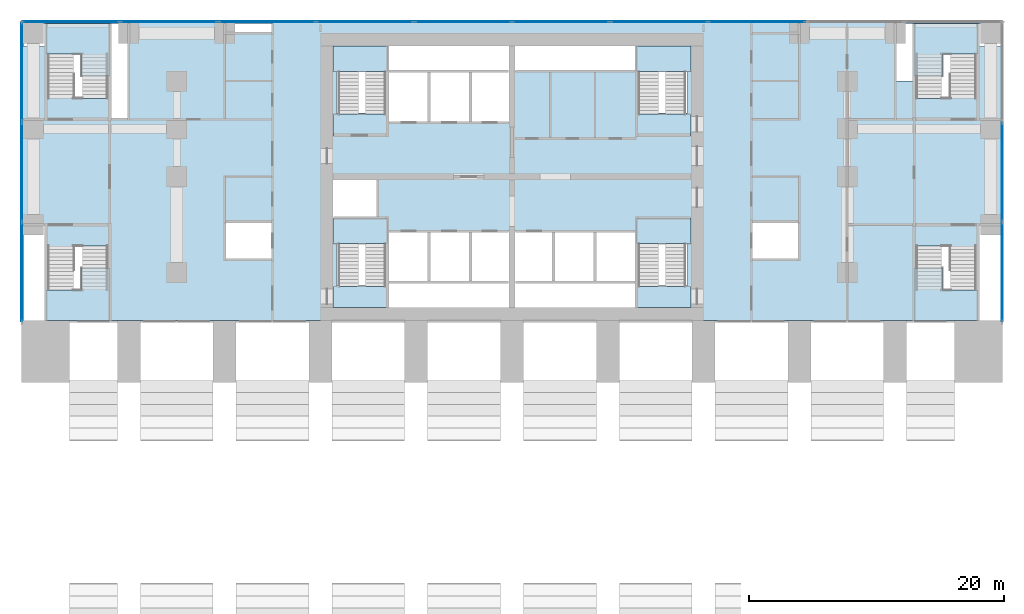
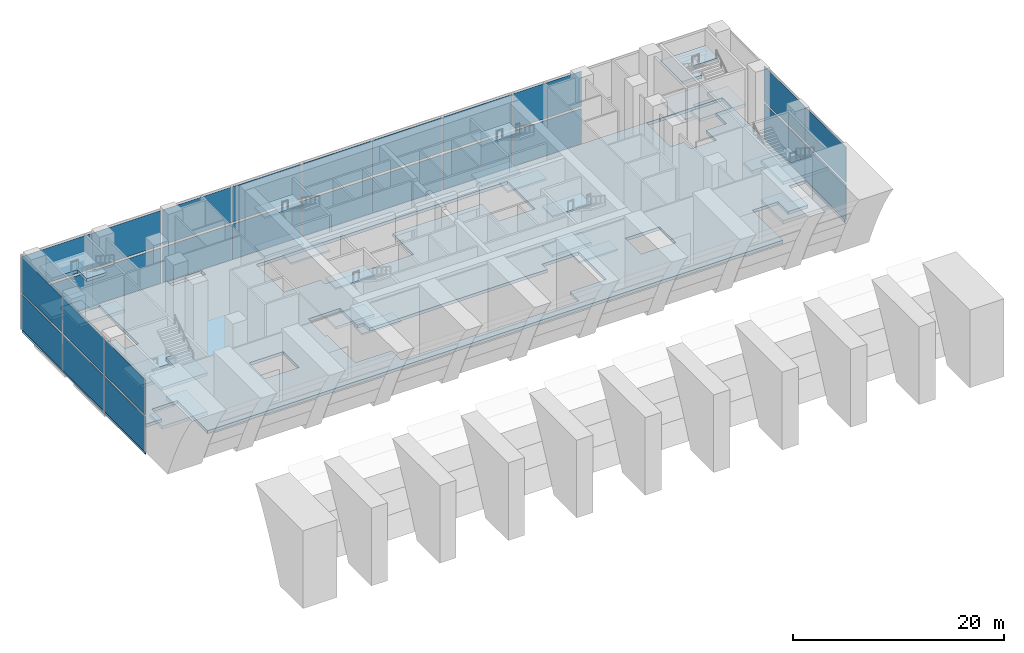
# One storey, part 4 of 14: 26 plates, 25 slabs, 22 elements without a shape of their own.
"""IFC4 building model written with IfcOpenShell, lengths in metres."""

import ifcopenshell
import ifcopenshell.guid

model = None  # the IFC model being written
_history = None  # IfcOwnerHistory: only IFC2X3 demands one
_inside = {}  # id of a spatial element -> (the spatial element, [elements in it])
_under = {}  # id of a project, library or spatial element -> (it, [spatial elements below it])
_declared = {}  # id of a project -> (the project, [libraries it declares])
_typed = {}  # id of a type object -> (the type object, [elements of that type])
_made_of = {}  # id of a material, layer set ... -> (it, [elements and type objects made of it])


def new_model(schema):
    """Start an empty IFC model of exactly this schema.

    Asked for "IFC4X3", IfcOpenShell would pick the latest addendum, in which some entities
    have other attributes; the version numbers below select the first issue.
    IFC2X3 requires an IfcOwnerHistory on every rooted entity: one is made here for all.
    """
    global model, _history
    if schema == "IFC4X3":
        model = ifcopenshell.file(schema_version=(4, 3, 0, 0))
    else:
        model = ifcopenshell.file(schema=schema)
    _inside.clear()
    _under.clear()
    _declared.clear()
    _typed.clear()
    _made_of.clear()
    _history = None
    if model.schema == "IFC2X3":
        org = make("IfcOrganization", Name="unknown")
        user = make(
            "IfcPersonAndOrganization",
            ThePerson=make("IfcPerson", FamilyName="unknown"),
            TheOrganization=org,
        )
        app = make(
            "IfcApplication",
            ApplicationDeveloper=org,
            Version="unknown",
            ApplicationFullName="unknown",
            ApplicationIdentifier="unknown",
        )
        _history = make(
            "IfcOwnerHistory",
            OwningUser=user,
            OwningApplication=app,
            ChangeAction="ADDED",
            CreationDate=0,
        )
    return model


def make(cls, **values):
    """One entity of the class cls with the attributes given. An attribute that is None is left unset."""
    return model.create_entity(
        cls, **{name: value for name, value in values.items() if value is not None}
    )


def rooted(cls, **values):
    """An entity with a GlobalId (a new one), such as an element, a storey or a relation."""
    return make(cls, GlobalId=ifcopenshell.guid.new(), OwnerHistory=_history, **values)


def si_unit(unit_type, name, prefix=None):
    """IfcSIUnit, for example si_unit("LENGTHUNIT", "METRE", prefix="MILLI")."""
    return make("IfcSIUnit", UnitType=unit_type, Prefix=prefix, Name=name)


def assignment(units):
    """IfcUnitAssignment: the units of a project."""
    return None if units is None else make("IfcUnitAssignment", Units=units)


def point(xyz):
    """IfcCartesianPoint."""
    return None if xyz is None else make("IfcCartesianPoint", Coordinates=xyz)


def direction(xyz):
    """IfcDirection."""
    return None if xyz is None else make("IfcDirection", DirectionRatios=xyz)


def frame(location, z_axis=None, x_axis=None):
    """IfcAxis2Placement3D, a coordinate frame: its origin and axes. An axis left out is left unset."""
    return make(
        "IfcAxis2Placement3D",
        Location=point(location),
        Axis=direction(z_axis),
        RefDirection=direction(x_axis),
    )


def frame_2d(location, x_axis=None):
    """IfcAxis2Placement2D, a coordinate frame in the plane: its origin and x axis."""
    return make(
        "IfcAxis2Placement2D", Location=point(location), RefDirection=direction(x_axis)
    )


def origin():
    """The frame at (0, 0, 0) with its axes left unset."""
    return frame((0.0, 0.0, 0.0))


def origin_2d():
    """The frame at (0, 0) in the plane with its x axis left unset."""
    return frame_2d((0.0, 0.0))


def place(relative_to, where):
    """IfcLocalPlacement: puts the frame where relative to a parent placement (None: the world)."""
    return make(
        "IfcLocalPlacement", PlacementRelTo=relative_to, RelativePlacement=where
    )


def context(
    kind, dimensions, precision=None, world=None, true_north=None, identifier=None
):
    """IfcGeometricRepresentationContext, for example the 3D "Model" context."""
    return make(
        "IfcGeometricRepresentationContext",
        ContextIdentifier=identifier,
        ContextType=kind,
        CoordinateSpaceDimension=dimensions,
        Precision=precision,
        WorldCoordinateSystem=world,
        TrueNorth=true_north,
    )


def subcontext(parent, identifier, kind, view, scale=None):
    """IfcGeometricRepresentationSubContext, for example "Body" below "Model"."""
    return make(
        "IfcGeometricRepresentationSubContext",
        ContextIdentifier=identifier,
        ContextType=kind,
        ParentContext=parent,
        TargetScale=scale,
        TargetView=view,
    )


def project(units=None, contexts=None):
    """IfcProject with its units and contexts."""
    return rooted(
        "IfcProject",
        Name="project",
        RepresentationContexts=contexts,
        UnitsInContext=assignment(units),
    )


def spatial(cls, under=None, at=None, **own):
    """A site, building, storey or space (cls), placed at a placement, below another one or the project."""
    s = rooted(cls, ObjectPlacement=at, **own)
    if under is not None:
        _under.setdefault(under.id(), (under, []))[1].append(s)
    return s


def polyline(points):
    """IfcPolyline through the points."""
    return make("IfcPolyline", Points=[point(p) for p in points])


def profile(cls, at=None, kind="AREA", **sizes):
    """A parametric profile (cls). Its sizes go by their IFC names, for example OverallWidth=200.0."""
    return make(cls, ProfileType=kind, Position=at, **sizes)


def rectangle(**sizes):
    """IfcRectangleProfileDef."""
    return profile("IfcRectangleProfileDef", **sizes)


def outline(outer, holes=None, kind="AREA"):
    """IfcArbitraryClosedProfileDef: a profile drawn as a closed curve; with holes, ...WithVoids."""
    if holes is None:
        return make("IfcArbitraryClosedProfileDef", ProfileType=kind, OuterCurve=outer)
    return make(
        "IfcArbitraryProfileDefWithVoids",
        ProfileType=kind,
        OuterCurve=outer,
        InnerCurves=holes,
    )


def extrude(swept, where, along, depth):
    """IfcExtrudedAreaSolid: the profile swept, set in the frame where, extruded along a direction by depth."""
    return make(
        "IfcExtrudedAreaSolid",
        SweptArea=swept,
        Position=where,
        ExtrudedDirection=direction(along),
        Depth=depth,
    )


def shape(context_of_items, identifier, shape_type, items):
    """IfcShapeRepresentation: the items that make up one representation, for example the "Body"."""
    return make(
        "IfcShapeRepresentation",
        ContextOfItems=context_of_items,
        RepresentationIdentifier=identifier,
        RepresentationType=shape_type,
        Items=items,
    )


def material(Name=None, Category=None):
    """IfcMaterial."""
    return make("IfcMaterial", Name=Name, Category=Category)


def layer(
    of_material, thickness, ventilated=None, Name=None, Category=None, Priority=None
):
    """IfcMaterialLayer: one layer of a wall or slab, of a material (None: an air gap)."""
    return make(
        "IfcMaterialLayer",
        Material=of_material,
        LayerThickness=thickness,
        IsVentilated=ventilated,
        Name=Name,
        Category=Category,
        Priority=Priority,
    )


def layer_set(layers, Name=None):
    """IfcMaterialLayerSet."""
    return make("IfcMaterialLayerSet", MaterialLayers=layers, LayerSetName=Name)


def made_of(thing, what):
    """Note that an element or type object is made of a material, layer set ...; save() writes the relation."""
    if what is not None:
        _made_of.setdefault(what.id(), (what, []))[1].append(thing)
    return thing


def type_object(cls, material=None, **own):
    """A type object (cls), such as IfcWallType, which elements share."""
    return made_of(rooted(cls, **own), material)


def element(
    cls,
    number,
    at=None,
    inside=None,
    cuts=None,
    type_object=None,
    material=None,
    context=None,
    identifier="Body",
    shape_type=None,
    held_by="IfcProductDefinitionShape",
    body=None,
    shapes=None,
    **own,
):
    """One element of the class cls, such as IfcWall. Its Tag is "e" and its number.

    at: its placement. inside: the storey or other place that contains it. cuts: it is an
    opening in that element (IfcRelVoidsElement). A single representation is given by context,
    identifier, shape_type and body (its items); several are given by shapes. held_by: the class
    of the entity that holds the representations. save() writes the other relations.
    """
    e = rooted(cls, Tag="e%d" % number, ObjectPlacement=at, **own)
    if body is not None:
        shapes = [shape(context, identifier, shape_type, body)]
    if shapes is not None:
        e.Representation = make(held_by, Representations=shapes)
    if inside is not None:
        _inside.setdefault(inside.id(), (inside, []))[1].append(e)
    if cuts is not None:
        rooted(
            "IfcRelVoidsElement", RelatingBuildingElement=cuts, RelatedOpeningElement=e
        )
    if type_object is not None:
        _typed.setdefault(type_object.id(), (type_object, []))[1].append(e)
    return made_of(e, material)


def aggregate(whole, parts):
    """IfcRelAggregates: a whole, such as a stair, and the parts it consists of."""
    return rooted("IfcRelAggregates", RelatingObject=whole, RelatedObjects=parts)


def save(model, path):
    """Write the relations noted so far, then the file.

    IfcRelAggregates (storeys below a building ...), IfcRelContainedInSpatialStructure (elements
    in a storey), IfcRelDefinesByType, IfcRelAssociatesMaterial and IfcRelDeclares: one each for
    every whole, place, type object, material and project.
    """
    for whole, parts in _under.values():
        aggregate(whole, parts)
    for where, things in _inside.values():
        rooted(
            "IfcRelContainedInSpatialStructure",
            RelatedElements=things,
            RelatingStructure=where,
        )
    for kind, things in _typed.values():
        rooted("IfcRelDefinesByType", RelatedObjects=things, RelatingType=kind)
    for what, things in _made_of.values():
        rooted("IfcRelAssociatesMaterial", RelatedObjects=things, RelatingMaterial=what)
    for by, libraries in _declared.values():
        rooted("IfcRelDeclares", RelatingContext=by, RelatedDefinitions=libraries)
    model.write(path)


model = new_model("IFC4")

# Units and contexts
model_context = context("Model", 3, precision=1e-05, world=origin(), true_north=direction((0.0, 1.0)))
body_context = subcontext(model_context, "Body", "Model", "MODEL_VIEW")
ifc_project = project(units=[si_unit("LENGTHUNIT", "METRE"), si_unit("AREAUNIT", "SQUARE_METRE"), si_unit("VOLUMEUNIT", "CUBIC_METRE"), si_unit("PLANEANGLEUNIT", "RADIAN"), si_unit("MASSUNIT", "GRAM", prefix="KILO")], contexts=[model_context])

# Site, building, storey
site_placement = place(None, origin())
site = spatial("IfcSite", under=ifc_project, at=site_placement, CompositionType="ELEMENT")
building_placement = place(site_placement, origin())
building = spatial("IfcBuilding", under=site, at=building_placement, Name="Pilkhan Gate Tower", CompositionType="ELEMENT")
storey_placement = place(building_placement, frame((0.0, 0.0, 7.5)))
storey = spatial("IfcBuildingStorey", under=building, at=storey_placement, Name="L01", CompositionType="ELEMENT", Elevation=7.5)

# Slab
ifc_material_1 = material(Name="Concrete C40/50", Category="concrete")
ifc_layer_1 = layer(ifc_material_1, 0.35009765625)
ifc_layer_set_1 = layer_set([ifc_layer_1], Name="Flat plate slab FP350")
slab_type_1 = type_object("IfcSlabType", Name="Flat plate slab FP350", PredefinedType="FLOOR", material=ifc_layer_set_1)
slab_1_placement = place(storey_placement, frame((0.0, 0.0, -0.35009765625)))
element("IfcSlab", 1, at=slab_1_placement, inside=storey, type_object=slab_type_1, Name="Floor slab L01", PredefinedType="FLOOR", context=body_context, shape_type="SweptSolid", body=[
    extrude(outline(polyline([(36.64990234375, 94.60009765625), (113.35009765625, 94.60009765625), (113.35009765625, 71.25), (113.264892578125, 71.25), (113.264892578125, 78.75), (111.5, 78.75), (111.5, 75.10009765625), (109.300048828125, 75.10009765625), (109.300048828125, 77.0), (106.5, 77.0), (106.5, 71.25), (43.5, 71.25), (43.5, 77.0), (40.699951171875, 77.0), (40.699951171875, 75.10009765625), (38.5, 75.10009765625), (38.5, 78.75), (36.735107421875, 78.75), (36.735107421875, 71.25), (36.64990234375, 71.25), (36.64990234375, 94.60009765625)]), holes=[polyline([(109.300048828125, 94.5), (106.5, 94.5), (106.5, 94.514892578125), (105.0, 94.514892578125), (105.0, 90.0), (106.5, 90.0), (106.5, 88.75), (109.300048828125, 88.75), (109.300048828125, 90.64990234375), (111.5, 90.64990234375), (111.5, 92.699951171875), (113.264892578125, 92.699951171875), (113.264892578125, 94.5), (111.5, 94.5), (109.300048828125, 94.5)]), polyline([(97.5, 79.0), (93.75, 79.0), (93.75, 76.0), (97.5, 76.0), (97.5, 79.0)]), polyline([(71.75, 86.75), (75.0, 86.75), (75.0, 90.75), (84.75, 90.75), (84.75, 87.5), (88.75, 87.5), (88.75, 92.75), (84.75, 92.75), (75.0, 92.75), (65.25, 92.75), (61.25, 92.75), (61.25, 87.5), (65.25, 87.5), (65.25, 86.75), (68.5, 86.75), (71.75, 86.75)]), polyline([(84.75, 72.25), (84.75, 74.0), (88.75, 74.0), (88.75, 79.25), (84.75, 79.25), (84.75, 78.25), (81.5, 78.25), (78.25, 78.25), (75.0, 78.25), (71.75, 78.25), (68.5, 78.25), (65.25, 78.25), (65.25, 79.25), (64.5, 79.25), (64.5, 82.5), (61.25, 82.5), (61.0, 82.5), (61.0, 79.25), (61.25, 79.25), (61.25, 74.0), (65.25, 74.0), (65.25, 72.25), (75.0, 72.25), (84.75, 72.25)]), polyline([(56.25, 79.0), (52.5, 79.0), (52.5, 76.0), (56.25, 76.0), (56.25, 79.0)]), polyline([(38.5, 90.64990234375), (40.699951171875, 90.64990234375), (40.699951171875, 88.75), (43.5, 88.75), (43.5, 87.0), (45.0, 87.0), (45.0, 94.514892578125), (43.5, 94.514892578125), (43.5, 94.5), (40.699951171875, 94.5), (38.5, 94.5), (36.735107421875, 94.5), (36.735107421875, 92.699951171875), (38.5, 92.699951171875), (38.5, 90.64990234375)]), polyline([(56.25, 93.75), (56.25, 94.514892578125), (52.5, 94.514892578125), (52.5, 93.75), (56.25, 93.75)])]), origin(), (0.0, 0.0, 1.0), 0.35009765625),
])

# Curtain wall, plates
ifc_material_2 = material(Name="Pale anodised aluminium, clear low-iron laminated glazing", Category="aluminium")
curtain_wall_type = type_object("IfcCurtainWallType", Name="Podium unitised curtain wall CW-P", PredefinedType="USERDEFINED", material=ifc_material_2)
curtain_wall_1_placement = place(storey_placement, origin())
curtain_wall_1 = element("IfcCurtainWall", 2, at=curtain_wall_1_placement, inside=storey, type_object=curtain_wall_type, Name="Podium unitised curtain wall CW-P L01 E", ObjectType="UNITISED CURTAIN WALL", PredefinedType="USERDEFINED")
ifc_material_3 = material(Name="Clear low-iron laminated glazing", Category="glass")
ifc_layer_2 = layer(ifc_material_3, 0.048095703125)
ifc_layer_set_2 = layer_set([ifc_layer_2], Name="Glass panel CW-P 48")
plate_type = type_object("IfcPlateType", Name="Glass panel CW-P 48", PredefinedType="CURTAIN_PANEL", material=ifc_layer_set_2)
plate_1_placement = place(storey_placement, frame((113.39501953125, 75.04833984375, 0.0), z_axis=(0.0, 0.0, 1.0), x_axis=(0.0, 1.0, 0.0)))
plate_1 = element("IfcPlate", 3, at=plate_1_placement, type_object=plate_type, Name="CW-P panel 1", PredefinedType="CURTAIN_PANEL", context=body_context, shape_type="SweptSolid", body=[
    extrude(rectangle(XDim=7.7265625, YDim=0.048095703125, at=origin_2d()), origin(), (0.0, 0.0, 1.0), 4.074951171875),
])
plate_2_placement = place(storey_placement, frame((113.39501953125, 82.85498046875, 0.0), z_axis=(0.0, 0.0, 1.0), x_axis=(0.0, 1.0, 0.0)))
plate_2 = element("IfcPlate", 4, at=plate_2_placement, type_object=plate_type, Name="CW-P panel 2", PredefinedType="CURTAIN_PANEL", context=body_context, shape_type="SweptSolid", body=[
    extrude(rectangle(XDim=7.7265625, YDim=0.048095703125, at=origin_2d()), origin(), (0.0, 0.0, 1.0), 4.074951171875),
])
aggregate(curtain_wall_1, [plate_1, plate_2])

curtain_wall_2_placement = place(storey_placement, origin())
curtain_wall_2 = element("IfcCurtainWall", 5, at=curtain_wall_2_placement, inside=storey, type_object=curtain_wall_type, Name="Podium unitised curtain wall CW-P L01 E", ObjectType="UNITISED CURTAIN WALL", PredefinedType="USERDEFINED")
plate_3_placement = place(storey_placement, frame((113.39501953125, 75.04833984375, 4.3251953125), z_axis=(0.0, 0.0, 1.0), x_axis=(0.0, 1.0, 0.0)))
plate_3 = element("IfcPlate", 6, at=plate_3_placement, type_object=plate_type, Name="CW-P panel 1", PredefinedType="CURTAIN_PANEL", context=body_context, shape_type="SweptSolid", body=[
    extrude(rectangle(XDim=7.7265625, YDim=0.048095703125, at=origin_2d()), origin(), (0.0, 0.0, 1.0), 4.074951171875),
])
plate_4_placement = place(storey_placement, frame((113.39501953125, 82.85498046875, 4.3251953125), z_axis=(0.0, 0.0, 1.0), x_axis=(0.0, 1.0, 0.0)))
plate_4 = element("IfcPlate", 7, at=plate_4_placement, type_object=plate_type, Name="CW-P panel 2", PredefinedType="CURTAIN_PANEL", context=body_context, shape_type="SweptSolid", body=[
    extrude(rectangle(XDim=7.7265625, YDim=0.048095703125, at=origin_2d()), origin(), (0.0, 0.0, 1.0), 4.074951171875),
])
aggregate(curtain_wall_2, [plate_3, plate_4])

curtain_wall_3_placement = place(storey_placement, origin())
curtain_wall_3 = element("IfcCurtainWall", 8, at=curtain_wall_3_placement, inside=storey, type_object=curtain_wall_type, Name="Podium unitised curtain wall CW-P L01 N", ObjectType="UNITISED CURTAIN WALL", PredefinedType="USERDEFINED")
plate_5_placement = place(storey_placement, frame((40.464599609375, 94.64501953125, 0.0), z_axis=(0.0, 0.0, 1.0), x_axis=(1.0, 0.0, 0.0)))
plate_5 = element("IfcPlate", 9, at=plate_5_placement, type_object=plate_type, Name="CW-P panel 1", PredefinedType="CURTAIN_PANEL", context=body_context, shape_type="SweptSolid", body=[
    extrude(rectangle(XDim=7.55908203125, YDim=0.048095703125, at=origin_2d()), origin(), (0.0, 0.0, 1.0), 4.074951171875),
])
plate_6_placement = place(storey_placement, frame((48.103515625, 94.64501953125, 0.0), z_axis=(0.0, 0.0, 1.0), x_axis=(1.0, 0.0, 0.0)))
plate_6 = element("IfcPlate", 10, at=plate_6_placement, type_object=plate_type, Name="CW-P panel 2", PredefinedType="CURTAIN_PANEL", context=body_context, shape_type="SweptSolid", body=[
    extrude(rectangle(XDim=7.55908203125, YDim=0.048095703125, at=origin_2d()), origin(), (0.0, 0.0, 1.0), 4.074951171875),
])
aggregate(curtain_wall_3, [plate_5, plate_6])

curtain_wall_4_placement = place(storey_placement, origin())
curtain_wall_4 = element("IfcCurtainWall", 11, at=curtain_wall_4_placement, inside=storey, type_object=curtain_wall_type, Name="Podium unitised curtain wall CW-P L01 N", ObjectType="UNITISED CURTAIN WALL", PredefinedType="USERDEFINED")
plate_7_placement = place(storey_placement, frame((55.822509765625, 94.64501953125, 0.0), z_axis=(0.0, 0.0, 1.0), x_axis=(1.0, 0.0, 0.0)))
plate_7 = element("IfcPlate", 12, at=plate_7_placement, type_object=plate_type, Name="CW-P panel 1", PredefinedType="CURTAIN_PANEL", context=body_context, shape_type="SweptSolid", body=[
    extrude(rectangle(XDim=7.55908203125, YDim=0.048095703125, at=origin_2d()), origin(), (0.0, 0.0, 1.0), 4.074951171875),
])
plate_8_placement = place(storey_placement, frame((63.46142578125, 94.64501953125, 0.0), z_axis=(0.0, 0.0, 1.0), x_axis=(1.0, 0.0, 0.0)))
plate_8 = element("IfcPlate", 13, at=plate_8_placement, type_object=plate_type, Name="CW-P panel 2", PredefinedType="CURTAIN_PANEL", context=body_context, shape_type="SweptSolid", body=[
    extrude(rectangle(XDim=7.55908203125, YDim=0.048095703125, at=origin_2d()), origin(), (0.0, 0.0, 1.0), 4.074951171875),
])
aggregate(curtain_wall_4, [plate_7, plate_8])

curtain_wall_5_placement = place(storey_placement, origin())
curtain_wall_5 = element("IfcCurtainWall", 14, at=curtain_wall_5_placement, inside=storey, type_object=curtain_wall_type, Name="Podium unitised curtain wall CW-P L01 N", ObjectType="UNITISED CURTAIN WALL", PredefinedType="USERDEFINED")
plate_9_placement = place(storey_placement, frame((71.180419921875, 94.64501953125, 0.0), z_axis=(0.0, 0.0, 1.0), x_axis=(1.0, 0.0, 0.0)))
plate_9 = element("IfcPlate", 15, at=plate_9_placement, type_object=plate_type, Name="CW-P panel 1", PredefinedType="CURTAIN_PANEL", context=body_context, shape_type="SweptSolid", body=[
    extrude(rectangle(XDim=7.55908203125, YDim=0.048095703125, at=origin_2d()), origin(), (0.0, 0.0, 1.0), 4.074951171875),
])
plate_10_placement = place(storey_placement, frame((78.819580078125, 94.64501953125, 0.0), z_axis=(0.0, 0.0, 1.0), x_axis=(1.0, 0.0, 0.0)))
plate_10 = element("IfcPlate", 16, at=plate_10_placement, type_object=plate_type, Name="CW-P panel 2", PredefinedType="CURTAIN_PANEL", context=body_context, shape_type="SweptSolid", body=[
    extrude(rectangle(XDim=7.55908203125, YDim=0.048095703125, at=origin_2d()), origin(), (0.0, 0.0, 1.0), 4.074951171875),
])
aggregate(curtain_wall_5, [plate_9, plate_10])

curtain_wall_6_placement = place(storey_placement, origin())
curtain_wall_6 = element("IfcCurtainWall", 17, at=curtain_wall_6_placement, inside=storey, type_object=curtain_wall_type, Name="Podium unitised curtain wall CW-P L01 N", ObjectType="UNITISED CURTAIN WALL", PredefinedType="USERDEFINED")
plate_11_placement = place(storey_placement, frame((86.53857421875, 94.64501953125, 0.0), z_axis=(0.0, 0.0, 1.0), x_axis=(1.0, 0.0, 0.0)))
plate_11 = element("IfcPlate", 18, at=plate_11_placement, type_object=plate_type, Name="CW-P panel 1", PredefinedType="CURTAIN_PANEL", context=body_context, shape_type="SweptSolid", body=[
    extrude(rectangle(XDim=7.55908203125, YDim=0.048095703125, at=origin_2d()), origin(), (0.0, 0.0, 1.0), 4.074951171875),
])
plate_12_placement = place(storey_placement, frame((94.177490234375, 94.64501953125, 0.0), z_axis=(0.0, 0.0, 1.0), x_axis=(1.0, 0.0, 0.0)))
plate_12 = element("IfcPlate", 19, at=plate_12_placement, type_object=plate_type, Name="CW-P panel 2", PredefinedType="CURTAIN_PANEL", context=body_context, shape_type="SweptSolid", body=[
    extrude(rectangle(XDim=7.55908203125, YDim=0.048095703125, at=origin_2d()), origin(), (0.0, 0.0, 1.0), 4.074951171875),
])
aggregate(curtain_wall_6, [plate_11, plate_12])

curtain_wall_7_placement = place(storey_placement, origin())
curtain_wall_7 = element("IfcCurtainWall", 20, at=curtain_wall_7_placement, inside=storey, type_object=curtain_wall_type, Name="Podium unitised curtain wall CW-P L01 N", ObjectType="UNITISED CURTAIN WALL", PredefinedType="USERDEFINED")
plate_13_placement = place(storey_placement, frame((40.464599609375, 94.64501953125, 4.3251953125), z_axis=(0.0, 0.0, 1.0), x_axis=(1.0, 0.0, 0.0)))
plate_13 = element("IfcPlate", 21, at=plate_13_placement, type_object=plate_type, Name="CW-P panel 1", PredefinedType="CURTAIN_PANEL", context=body_context, shape_type="SweptSolid", body=[
    extrude(rectangle(XDim=7.55908203125, YDim=0.048095703125, at=origin_2d()), origin(), (0.0, 0.0, 1.0), 4.074951171875),
])
plate_14_placement = place(storey_placement, frame((48.103515625, 94.64501953125, 4.3251953125), z_axis=(0.0, 0.0, 1.0), x_axis=(1.0, 0.0, 0.0)))
plate_14 = element("IfcPlate", 22, at=plate_14_placement, type_object=plate_type, Name="CW-P panel 2", PredefinedType="CURTAIN_PANEL", context=body_context, shape_type="SweptSolid", body=[
    extrude(rectangle(XDim=7.55908203125, YDim=0.048095703125, at=origin_2d()), origin(), (0.0, 0.0, 1.0), 4.074951171875),
])
aggregate(curtain_wall_7, [plate_13, plate_14])

curtain_wall_8_placement = place(storey_placement, origin())
curtain_wall_8 = element("IfcCurtainWall", 23, at=curtain_wall_8_placement, inside=storey, type_object=curtain_wall_type, Name="Podium unitised curtain wall CW-P L01 N", ObjectType="UNITISED CURTAIN WALL", PredefinedType="USERDEFINED")
plate_15_placement = place(storey_placement, frame((55.822509765625, 94.64501953125, 4.3251953125), z_axis=(0.0, 0.0, 1.0), x_axis=(1.0, 0.0, 0.0)))
plate_15 = element("IfcPlate", 24, at=plate_15_placement, type_object=plate_type, Name="CW-P panel 1", PredefinedType="CURTAIN_PANEL", context=body_context, shape_type="SweptSolid", body=[
    extrude(rectangle(XDim=7.55908203125, YDim=0.048095703125, at=origin_2d()), origin(), (0.0, 0.0, 1.0), 4.074951171875),
])
plate_16_placement = place(storey_placement, frame((63.46142578125, 94.64501953125, 4.3251953125), z_axis=(0.0, 0.0, 1.0), x_axis=(1.0, 0.0, 0.0)))
plate_16 = element("IfcPlate", 25, at=plate_16_placement, type_object=plate_type, Name="CW-P panel 2", PredefinedType="CURTAIN_PANEL", context=body_context, shape_type="SweptSolid", body=[
    extrude(rectangle(XDim=7.55908203125, YDim=0.048095703125, at=origin_2d()), origin(), (0.0, 0.0, 1.0), 4.074951171875),
])
aggregate(curtain_wall_8, [plate_15, plate_16])

curtain_wall_9_placement = place(storey_placement, origin())
curtain_wall_9 = element("IfcCurtainWall", 26, at=curtain_wall_9_placement, inside=storey, type_object=curtain_wall_type, Name="Podium unitised curtain wall CW-P L01 N", ObjectType="UNITISED CURTAIN WALL", PredefinedType="USERDEFINED")
plate_17_placement = place(storey_placement, frame((71.180419921875, 94.64501953125, 4.3251953125), z_axis=(0.0, 0.0, 1.0), x_axis=(1.0, 0.0, 0.0)))
plate_17 = element("IfcPlate", 27, at=plate_17_placement, type_object=plate_type, Name="CW-P panel 1", PredefinedType="CURTAIN_PANEL", context=body_context, shape_type="SweptSolid", body=[
    extrude(rectangle(XDim=7.55908203125, YDim=0.048095703125, at=origin_2d()), origin(), (0.0, 0.0, 1.0), 4.074951171875),
])
plate_18_placement = place(storey_placement, frame((78.819580078125, 94.64501953125, 4.3251953125), z_axis=(0.0, 0.0, 1.0), x_axis=(1.0, 0.0, 0.0)))
plate_18 = element("IfcPlate", 28, at=plate_18_placement, type_object=plate_type, Name="CW-P panel 2", PredefinedType="CURTAIN_PANEL", context=body_context, shape_type="SweptSolid", body=[
    extrude(rectangle(XDim=7.55908203125, YDim=0.048095703125, at=origin_2d()), origin(), (0.0, 0.0, 1.0), 4.074951171875),
])
aggregate(curtain_wall_9, [plate_17, plate_18])

curtain_wall_10_placement = place(storey_placement, origin())
curtain_wall_10 = element("IfcCurtainWall", 29, at=curtain_wall_10_placement, inside=storey, type_object=curtain_wall_type, Name="Podium unitised curtain wall CW-P L01 N", ObjectType="UNITISED CURTAIN WALL", PredefinedType="USERDEFINED")
plate_19_placement = place(storey_placement, frame((86.53857421875, 94.64501953125, 4.3251953125), z_axis=(0.0, 0.0, 1.0), x_axis=(1.0, 0.0, 0.0)))
plate_19 = element("IfcPlate", 30, at=plate_19_placement, type_object=plate_type, Name="CW-P panel 1", PredefinedType="CURTAIN_PANEL", context=body_context, shape_type="SweptSolid", body=[
    extrude(rectangle(XDim=7.55908203125, YDim=0.048095703125, at=origin_2d()), origin(), (0.0, 0.0, 1.0), 4.074951171875),
])
plate_20_placement = place(storey_placement, frame((94.177490234375, 94.64501953125, 4.3251953125), z_axis=(0.0, 0.0, 1.0), x_axis=(1.0, 0.0, 0.0)))
plate_20 = element("IfcPlate", 31, at=plate_20_placement, type_object=plate_type, Name="CW-P panel 2", PredefinedType="CURTAIN_PANEL", context=body_context, shape_type="SweptSolid", body=[
    extrude(rectangle(XDim=7.55908203125, YDim=0.048095703125, at=origin_2d()), origin(), (0.0, 0.0, 1.0), 4.074951171875),
])
aggregate(curtain_wall_10, [plate_19, plate_20])

curtain_wall_11_placement = place(storey_placement, origin())
curtain_wall_11 = element("IfcCurtainWall", 32, at=curtain_wall_11_placement, inside=storey, type_object=curtain_wall_type, Name="Podium unitised curtain wall CW-P L01 W", ObjectType="UNITISED CURTAIN WALL", PredefinedType="USERDEFINED")
plate_21_placement = place(storey_placement, frame((36.60498046875, 75.04833984375, 0.0), z_axis=(0.0, 0.0, 1.0), x_axis=(0.0, 1.0, 0.0)))
plate_21 = element("IfcPlate", 33, at=plate_21_placement, type_object=plate_type, Name="CW-P panel 1", PredefinedType="CURTAIN_PANEL", context=body_context, shape_type="SweptSolid", body=[
    extrude(rectangle(XDim=7.7265625, YDim=0.048095703125, at=origin_2d()), origin(), (0.0, 0.0, 1.0), 4.074951171875),
])
plate_22_placement = place(storey_placement, frame((36.60498046875, 82.85498046875, 0.0), z_axis=(0.0, 0.0, 1.0), x_axis=(0.0, 1.0, 0.0)))
plate_22 = element("IfcPlate", 34, at=plate_22_placement, type_object=plate_type, Name="CW-P panel 2", PredefinedType="CURTAIN_PANEL", context=body_context, shape_type="SweptSolid", body=[
    extrude(rectangle(XDim=7.7265625, YDim=0.048095703125, at=origin_2d()), origin(), (0.0, 0.0, 1.0), 4.074951171875),
])
aggregate(curtain_wall_11, [plate_21, plate_22])

# Curtain wall, plate
curtain_wall_12_placement = place(storey_placement, origin())
curtain_wall_12 = element("IfcCurtainWall", 35, at=curtain_wall_12_placement, inside=storey, type_object=curtain_wall_type, Name="Podium unitised curtain wall CW-P L01 W", ObjectType="UNITISED CURTAIN WALL", PredefinedType="USERDEFINED")
plate_23_placement = place(storey_placement, frame((36.60498046875, 90.7216796875, 0.0), z_axis=(0.0, 0.0, 1.0), x_axis=(0.0, 1.0, 0.0)))
plate_23 = element("IfcPlate", 36, at=plate_23_placement, type_object=plate_type, Name="CW-P panel 1", PredefinedType="CURTAIN_PANEL", context=body_context, shape_type="SweptSolid", body=[
    extrude(rectangle(XDim=7.686767578125, YDim=0.048095703125, at=origin_2d()), origin(), (0.0, 0.0, 1.0), 4.074951171875),
])
aggregate(curtain_wall_12, [plate_23])

# Curtain wall, plates
curtain_wall_13_placement = place(storey_placement, origin())
curtain_wall_13 = element("IfcCurtainWall", 37, at=curtain_wall_13_placement, inside=storey, type_object=curtain_wall_type, Name="Podium unitised curtain wall CW-P L01 W", ObjectType="UNITISED CURTAIN WALL", PredefinedType="USERDEFINED")
plate_24_placement = place(storey_placement, frame((36.60498046875, 75.04833984375, 4.3251953125), z_axis=(0.0, 0.0, 1.0), x_axis=(0.0, 1.0, 0.0)))
plate_24 = element("IfcPlate", 38, at=plate_24_placement, type_object=plate_type, Name="CW-P panel 1", PredefinedType="CURTAIN_PANEL", context=body_context, shape_type="SweptSolid", body=[
    extrude(rectangle(XDim=7.7265625, YDim=0.048095703125, at=origin_2d()), origin(), (0.0, 0.0, 1.0), 4.074951171875),
])
plate_25_placement = place(storey_placement, frame((36.60498046875, 82.85498046875, 4.3251953125), z_axis=(0.0, 0.0, 1.0), x_axis=(0.0, 1.0, 0.0)))
plate_25 = element("IfcPlate", 39, at=plate_25_placement, type_object=plate_type, Name="CW-P panel 2", PredefinedType="CURTAIN_PANEL", context=body_context, shape_type="SweptSolid", body=[
    extrude(rectangle(XDim=7.7265625, YDim=0.048095703125, at=origin_2d()), origin(), (0.0, 0.0, 1.0), 4.074951171875),
])
aggregate(curtain_wall_13, [plate_24, plate_25])

# Curtain wall, plate
curtain_wall_14_placement = place(storey_placement, origin())
curtain_wall_14 = element("IfcCurtainWall", 40, at=curtain_wall_14_placement, inside=storey, type_object=curtain_wall_type, Name="Podium unitised curtain wall CW-P L01 W", ObjectType="UNITISED CURTAIN WALL", PredefinedType="USERDEFINED")
plate_26_placement = place(storey_placement, frame((36.60498046875, 90.7216796875, 4.3251953125), z_axis=(0.0, 0.0, 1.0), x_axis=(0.0, 1.0, 0.0)))
plate_26 = element("IfcPlate", 41, at=plate_26_placement, type_object=plate_type, Name="CW-P panel 1", PredefinedType="CURTAIN_PANEL", context=body_context, shape_type="SweptSolid", body=[
    extrude(rectangle(XDim=7.686767578125, YDim=0.048095703125, at=origin_2d()), origin(), (0.0, 0.0, 1.0), 4.074951171875),
])
aggregate(curtain_wall_14, [plate_26])

# Stair, slabs
ifc_material_4 = material(Name="Concrete C40/50 precast", Category="concrete")
stair_type_1 = type_object("IfcStairType", Name="Stair ST1 173x280", PredefinedType="HALF_TURN_STAIR", material=ifc_material_4)
stair_1_placement = place(storey_placement, origin())
stair_1 = element("IfcStair", 42, at=stair_1_placement, inside=storey, type_object=stair_type_1, Name="Stair ST1 L01", PredefinedType="HALF_TURN_STAIR")
ifc_layer_3 = layer(ifc_material_1, 0.199951171875)
ifc_layer_set_3 = layer_set([ifc_layer_3], Name="Stair landing SL200")
slab_type_2 = type_object("IfcSlabType", Name="Stair landing SL200", PredefinedType="LANDING", material=ifc_layer_set_3)
slab_2_placement = place(storey_placement, frame((0.0, 0.0, 1.949951171875)))
slab_2 = element("IfcSlab", 43, at=slab_2_placement, type_object=slab_type_2, Name="ST1 landing 1", PredefinedType="LANDING", context=body_context, shape_type="SweptSolid", body=[
    extrude(outline(polyline([(89.0, 77.260009765625), (89.0, 79.25), (84.75, 79.25), (84.75, 77.260009765625), (89.0, 77.260009765625)])), origin(), (0.0, 0.0, 1.0), 0.300048828125),
])
slab_3_placement = place(storey_placement, frame((0.0, 0.0, 4.300048828125)))
slab_3 = element("IfcSlab", 44, at=slab_3_placement, type_object=slab_type_2, Name="ST1 landing 2", PredefinedType="LANDING", context=body_context, shape_type="SweptSolid", body=[
    extrude(outline(polyline([(89.0, 72.25), (89.0, 73.89990234375), (84.75, 73.89990234375), (84.75, 72.25), (89.0, 72.25)])), origin(), (0.0, 0.0, 1.0), 0.199951171875),
])
slab_4_placement = place(storey_placement, frame((0.0, 0.0, 6.550048828125)))
slab_4 = element("IfcSlab", 45, at=slab_4_placement, type_object=slab_type_2, Name="ST1 landing 3", PredefinedType="LANDING", context=body_context, shape_type="SweptSolid", body=[
    extrude(outline(polyline([(89.0, 77.260009765625), (89.0, 79.25), (84.75, 79.25), (84.75, 77.260009765625), (89.0, 77.260009765625)])), origin(), (0.0, 0.0, 1.0), 0.199951171875),
])
aggregate(stair_1, [slab_2, slab_3, slab_4])

stair_type_2 = type_object("IfcStairType", Name="Stair ST2 173x280", PredefinedType="HALF_TURN_STAIR", material=ifc_material_4)
stair_2_placement = place(storey_placement, origin())
stair_2 = element("IfcStair", 46, at=stair_2_placement, inside=storey, type_object=stair_type_2, Name="Stair ST2 L01", PredefinedType="HALF_TURN_STAIR")
slab_5_placement = place(storey_placement, frame((0.0, 0.0, 1.949951171875)))
slab_5 = element("IfcSlab", 47, at=slab_5_placement, type_object=slab_type_2, Name="ST2 landing 1", PredefinedType="LANDING", context=body_context, shape_type="SweptSolid", body=[
    extrude(outline(polyline([(65.25, 77.260009765625), (65.25, 79.25), (61.0, 79.25), (61.0, 77.260009765625), (65.25, 77.260009765625)])), origin(), (0.0, 0.0, 1.0), 0.300048828125),
])
slab_6_placement = place(storey_placement, frame((0.0, 0.0, 4.300048828125)))
slab_6 = element("IfcSlab", 48, at=slab_6_placement, type_object=slab_type_2, Name="ST2 landing 2", PredefinedType="LANDING", context=body_context, shape_type="SweptSolid", body=[
    extrude(outline(polyline([(65.25, 72.25), (65.25, 73.89990234375), (61.0, 73.89990234375), (61.0, 72.25), (65.25, 72.25)])), origin(), (0.0, 0.0, 1.0), 0.199951171875),
])
slab_7_placement = place(storey_placement, frame((0.0, 0.0, 6.550048828125)))
slab_7 = element("IfcSlab", 49, at=slab_7_placement, type_object=slab_type_2, Name="ST2 landing 3", PredefinedType="LANDING", context=body_context, shape_type="SweptSolid", body=[
    extrude(outline(polyline([(65.25, 77.260009765625), (65.25, 79.25), (61.0, 79.25), (61.0, 77.260009765625), (65.25, 77.260009765625)])), origin(), (0.0, 0.0, 1.0), 0.199951171875),
])
aggregate(stair_2, [slab_5, slab_6, slab_7])

stair_type_3 = type_object("IfcStairType", Name="Stair ST3 173x280", PredefinedType="HALF_TURN_STAIR", material=ifc_material_4)
stair_3_placement = place(storey_placement, origin())
stair_3 = element("IfcStair", 50, at=stair_3_placement, inside=storey, type_object=stair_type_3, Name="Stair ST3 L01", PredefinedType="HALF_TURN_STAIR")
slab_8_placement = place(storey_placement, frame((0.0, 0.0, 1.949951171875)))
slab_8 = element("IfcSlab", 51, at=slab_8_placement, type_object=slab_type_2, Name="ST3 landing 1", PredefinedType="LANDING", context=body_context, shape_type="SweptSolid", body=[
    extrude(outline(polyline([(65.25, 90.760009765625), (65.25, 92.75), (61.0, 92.75), (61.0, 90.760009765625), (65.25, 90.760009765625)])), origin(), (0.0, 0.0, 1.0), 0.300048828125),
])
slab_9_placement = place(storey_placement, frame((0.0, 0.0, 4.300048828125)))
slab_9 = element("IfcSlab", 52, at=slab_9_placement, type_object=slab_type_2, Name="ST3 landing 2", PredefinedType="LANDING", context=body_context, shape_type="SweptSolid", body=[
    extrude(outline(polyline([(65.25, 85.75), (65.25, 87.39990234375), (61.0, 87.39990234375), (61.0, 85.75), (65.25, 85.75)])), origin(), (0.0, 0.0, 1.0), 0.199951171875),
])
slab_10_placement = place(storey_placement, frame((0.0, 0.0, 6.550048828125)))
slab_10 = element("IfcSlab", 53, at=slab_10_placement, type_object=slab_type_2, Name="ST3 landing 3", PredefinedType="LANDING", context=body_context, shape_type="SweptSolid", body=[
    extrude(outline(polyline([(65.25, 90.760009765625), (65.25, 92.75), (61.0, 92.75), (61.0, 90.760009765625), (65.25, 90.760009765625)])), origin(), (0.0, 0.0, 1.0), 0.199951171875),
])
aggregate(stair_3, [slab_8, slab_9, slab_10])

stair_type_4 = type_object("IfcStairType", Name="Stair ST4 173x280", PredefinedType="HALF_TURN_STAIR", material=ifc_material_4)
stair_4_placement = place(storey_placement, origin())
stair_4 = element("IfcStair", 54, at=stair_4_placement, inside=storey, type_object=stair_type_4, Name="Stair ST4 L01", PredefinedType="HALF_TURN_STAIR")
slab_11_placement = place(storey_placement, frame((0.0, 0.0, 1.949951171875)))
slab_11 = element("IfcSlab", 55, at=slab_11_placement, type_object=slab_type_2, Name="ST4 landing 1", PredefinedType="LANDING", context=body_context, shape_type="SweptSolid", body=[
    extrude(outline(polyline([(89.0, 90.760009765625), (89.0, 92.75), (84.75, 92.75), (84.75, 90.760009765625), (89.0, 90.760009765625)])), origin(), (0.0, 0.0, 1.0), 0.300048828125),
])
slab_12_placement = place(storey_placement, frame((0.0, 0.0, 4.300048828125)))
slab_12 = element("IfcSlab", 56, at=slab_12_placement, type_object=slab_type_2, Name="ST4 landing 2", PredefinedType="LANDING", context=body_context, shape_type="SweptSolid", body=[
    extrude(outline(polyline([(89.0, 85.75), (89.0, 87.39990234375), (84.75, 87.39990234375), (84.75, 85.75), (89.0, 85.75)])), origin(), (0.0, 0.0, 1.0), 0.199951171875),
])
slab_13_placement = place(storey_placement, frame((0.0, 0.0, 6.550048828125)))
slab_13 = element("IfcSlab", 57, at=slab_13_placement, type_object=slab_type_2, Name="ST4 landing 3", PredefinedType="LANDING", context=body_context, shape_type="SweptSolid", body=[
    extrude(outline(polyline([(89.0, 90.760009765625), (89.0, 92.75), (84.75, 92.75), (84.75, 90.760009765625), (89.0, 90.760009765625)])), origin(), (0.0, 0.0, 1.0), 0.199951171875),
])
aggregate(stair_4, [slab_11, slab_12, slab_13])

stair_type_5 = type_object("IfcStairType", Name="Stair PS1 173x290", PredefinedType="HALF_TURN_STAIR", material=ifc_material_4)
stair_5_placement = place(storey_placement, origin())
stair_5 = element("IfcStair", 58, at=stair_5_placement, inside=storey, type_object=stair_type_5, Name="Stair PS1 L01", PredefinedType="HALF_TURN_STAIR")
ifc_layer_4 = layer(ifc_material_1, 0.35009765625)
ifc_layer_set_4 = layer_set([ifc_layer_4], Name="Stair landing SL350")
slab_type_3 = type_object("IfcSlabType", Name="Stair landing SL350", PredefinedType="LANDING", material=ifc_layer_set_4)
slab_14_placement = place(storey_placement, frame((0.0, 0.0, 1.89990234375)))
slab_14 = element("IfcSlab", 59, at=slab_14_placement, type_object=slab_type_3, Name="PS1 landing 1", PredefinedType="LANDING", context=body_context, shape_type="SweptSolid", body=[
    extrude(outline(polyline([(43.5, 90.389892578125), (41.300048828125, 90.389892578125), (41.300048828125, 92.12939453125), (38.5, 92.12939453125), (38.5, 94.5), (43.5, 94.5), (43.5, 92.1298828125), (43.5, 92.12939453125), (43.5, 90.389892578125)])), origin(), (0.0, 0.0, 1.0), 0.35009765625),
])
slab_15_placement = place(storey_placement, frame((0.0, 0.0, 4.14990234375)))
slab_15 = element("IfcSlab", 60, at=slab_15_placement, type_object=slab_type_3, Name="PS1 landing 2", PredefinedType="LANDING", context=body_context, shape_type="SweptSolid", body=[
    extrude(outline(polyline([(43.5, 88.650390625), (43.5, 87.0), (38.5, 87.0), (38.5, 88.64990234375), (38.5, 88.650390625), (38.5, 90.389892578125), (40.699951171875, 90.389892578125), (40.699951171875, 88.650390625), (43.5, 88.650390625)])), origin(), (0.0, 0.0, 1.0), 0.35009765625),
])
slab_16_placement = place(storey_placement, frame((0.0, 0.0, 6.39990234375)))
slab_16 = element("IfcSlab", 61, at=slab_16_placement, type_object=slab_type_3, Name="PS1 landing 3", PredefinedType="LANDING", context=body_context, shape_type="SweptSolid", body=[
    extrude(outline(polyline([(43.5, 90.389892578125), (41.300048828125, 90.389892578125), (41.300048828125, 92.12939453125), (38.5, 92.12939453125), (38.5, 94.5), (43.5, 94.5), (43.5, 92.1298828125), (43.5, 92.12939453125), (43.5, 90.389892578125)])), origin(), (0.0, 0.0, 1.0), 0.35009765625),
])
aggregate(stair_5, [slab_14, slab_15, slab_16])

stair_type_6 = type_object("IfcStairType", Name="Stair PS2 173x290", PredefinedType="HALF_TURN_STAIR", material=ifc_material_4)
stair_6_placement = place(storey_placement, origin())
stair_6 = element("IfcStair", 62, at=stair_6_placement, inside=storey, type_object=stair_type_6, Name="Stair PS2 L01", PredefinedType="HALF_TURN_STAIR")
slab_17_placement = place(storey_placement, frame((0.0, 0.0, 1.89990234375)))
slab_17 = element("IfcSlab", 63, at=slab_17_placement, type_object=slab_type_3, Name="PS2 landing 1", PredefinedType="LANDING", context=body_context, shape_type="SweptSolid", body=[
    extrude(outline(polyline([(106.5, 90.389892578125), (108.699951171875, 90.389892578125), (108.699951171875, 92.12939453125), (111.5, 92.12939453125), (111.5, 94.5), (106.5, 94.5), (106.5, 92.1298828125), (106.5, 92.12939453125), (106.5, 90.389892578125)])), origin(), (0.0, 0.0, 1.0), 0.35009765625),
])
slab_18_placement = place(storey_placement, frame((0.0, 0.0, 4.14990234375)))
slab_18 = element("IfcSlab", 64, at=slab_18_placement, type_object=slab_type_3, Name="PS2 landing 2", PredefinedType="LANDING", context=body_context, shape_type="SweptSolid", body=[
    extrude(outline(polyline([(106.5, 88.650390625), (106.5, 87.0), (111.5, 87.0), (111.5, 88.64990234375), (111.5, 88.650390625), (111.5, 90.389892578125), (109.300048828125, 90.389892578125), (109.300048828125, 88.650390625), (106.5, 88.650390625)])), origin(), (0.0, 0.0, 1.0), 0.35009765625),
])
slab_19_placement = place(storey_placement, frame((0.0, 0.0, 6.39990234375)))
slab_19 = element("IfcSlab", 65, at=slab_19_placement, type_object=slab_type_3, Name="PS2 landing 3", PredefinedType="LANDING", context=body_context, shape_type="SweptSolid", body=[
    extrude(outline(polyline([(106.5, 90.389892578125), (108.699951171875, 90.389892578125), (108.699951171875, 92.12939453125), (111.5, 92.12939453125), (111.5, 94.5), (106.5, 94.5), (106.5, 92.1298828125), (106.5, 92.12939453125), (106.5, 90.389892578125)])), origin(), (0.0, 0.0, 1.0), 0.35009765625),
])
aggregate(stair_6, [slab_17, slab_18, slab_19])

stair_type_7 = type_object("IfcStairType", Name="Stair PS3 173x290", PredefinedType="HALF_TURN_STAIR", material=ifc_material_4)
stair_7_placement = place(storey_placement, origin())
stair_7 = element("IfcStair", 66, at=stair_7_placement, inside=storey, type_object=stair_type_7, Name="Stair PS3 L01", PredefinedType="HALF_TURN_STAIR")
slab_20_placement = place(storey_placement, frame((0.0, 0.0, 1.89990234375)))
slab_20 = element("IfcSlab", 67, at=slab_20_placement, type_object=slab_type_3, Name="PS3 landing 1", PredefinedType="LANDING", context=body_context, shape_type="SweptSolid", body=[
    extrude(outline(polyline([(43.5, 75.360107421875), (41.300048828125, 75.360107421875), (41.300048828125, 73.62060546875), (38.5, 73.62060546875), (38.5, 71.25), (43.5, 71.25), (43.5, 73.6201171875), (43.5, 73.62060546875), (43.5, 75.360107421875)])), origin(), (0.0, 0.0, 1.0), 0.35009765625),
])
slab_21_placement = place(storey_placement, frame((0.0, 0.0, 4.14990234375)))
slab_21 = element("IfcSlab", 68, at=slab_21_placement, type_object=slab_type_3, Name="PS3 landing 2", PredefinedType="LANDING", context=body_context, shape_type="SweptSolid", body=[
    extrude(outline(polyline([(43.5, 77.099609375), (43.5, 78.75), (38.5, 78.75), (38.5, 77.10009765625), (38.5, 77.099609375), (38.5, 75.360107421875), (40.699951171875, 75.360107421875), (40.699951171875, 77.099609375), (43.5, 77.099609375)])), origin(), (0.0, 0.0, 1.0), 0.35009765625),
])
slab_22_placement = place(storey_placement, frame((0.0, 0.0, 6.39990234375)))
slab_22 = element("IfcSlab", 69, at=slab_22_placement, type_object=slab_type_3, Name="PS3 landing 3", PredefinedType="LANDING", context=body_context, shape_type="SweptSolid", body=[
    extrude(outline(polyline([(43.5, 75.360107421875), (41.300048828125, 75.360107421875), (41.300048828125, 73.62060546875), (38.5, 73.62060546875), (38.5, 71.25), (43.5, 71.25), (43.5, 73.6201171875), (43.5, 73.62060546875), (43.5, 75.360107421875)])), origin(), (0.0, 0.0, 1.0), 0.35009765625),
])
aggregate(stair_7, [slab_20, slab_21, slab_22])

stair_type_8 = type_object("IfcStairType", Name="Stair PS4 173x290", PredefinedType="HALF_TURN_STAIR", material=ifc_material_4)
stair_8_placement = place(storey_placement, origin())
stair_8 = element("IfcStair", 70, at=stair_8_placement, inside=storey, type_object=stair_type_8, Name="Stair PS4 L01", PredefinedType="HALF_TURN_STAIR")
slab_23_placement = place(storey_placement, frame((0.0, 0.0, 1.89990234375)))
slab_23 = element("IfcSlab", 71, at=slab_23_placement, type_object=slab_type_3, Name="PS4 landing 1", PredefinedType="LANDING", context=body_context, shape_type="SweptSolid", body=[
    extrude(outline(polyline([(106.5, 75.360107421875), (108.699951171875, 75.360107421875), (108.699951171875, 73.62060546875), (111.5, 73.62060546875), (111.5, 71.25), (106.5, 71.25), (106.5, 73.6201171875), (106.5, 73.62060546875), (106.5, 75.360107421875)])), origin(), (0.0, 0.0, 1.0), 0.35009765625),
])
slab_24_placement = place(storey_placement, frame((0.0, 0.0, 4.14990234375)))
slab_24 = element("IfcSlab", 72, at=slab_24_placement, type_object=slab_type_3, Name="PS4 landing 2", PredefinedType="LANDING", context=body_context, shape_type="SweptSolid", body=[
    extrude(outline(polyline([(106.5, 77.099609375), (106.5, 78.75), (111.5, 78.75), (111.5, 77.10009765625), (111.5, 77.099609375), (111.5, 75.360107421875), (109.300048828125, 75.360107421875), (109.300048828125, 77.099609375), (106.5, 77.099609375)])), origin(), (0.0, 0.0, 1.0), 0.35009765625),
])
slab_25_placement = place(storey_placement, frame((0.0, 0.0, 6.39990234375)))
slab_25 = element("IfcSlab", 73, at=slab_25_placement, type_object=slab_type_3, Name="PS4 landing 3", PredefinedType="LANDING", context=body_context, shape_type="SweptSolid", body=[
    extrude(outline(polyline([(106.5, 75.360107421875), (108.699951171875, 75.360107421875), (108.699951171875, 73.62060546875), (111.5, 73.62060546875), (111.5, 71.25), (106.5, 71.25), (106.5, 73.6201171875), (106.5, 73.62060546875), (106.5, 75.360107421875)])), origin(), (0.0, 0.0, 1.0), 0.35009765625),
])
aggregate(stair_8, [slab_23, slab_24, slab_25])

save(model, "model.ifc")
